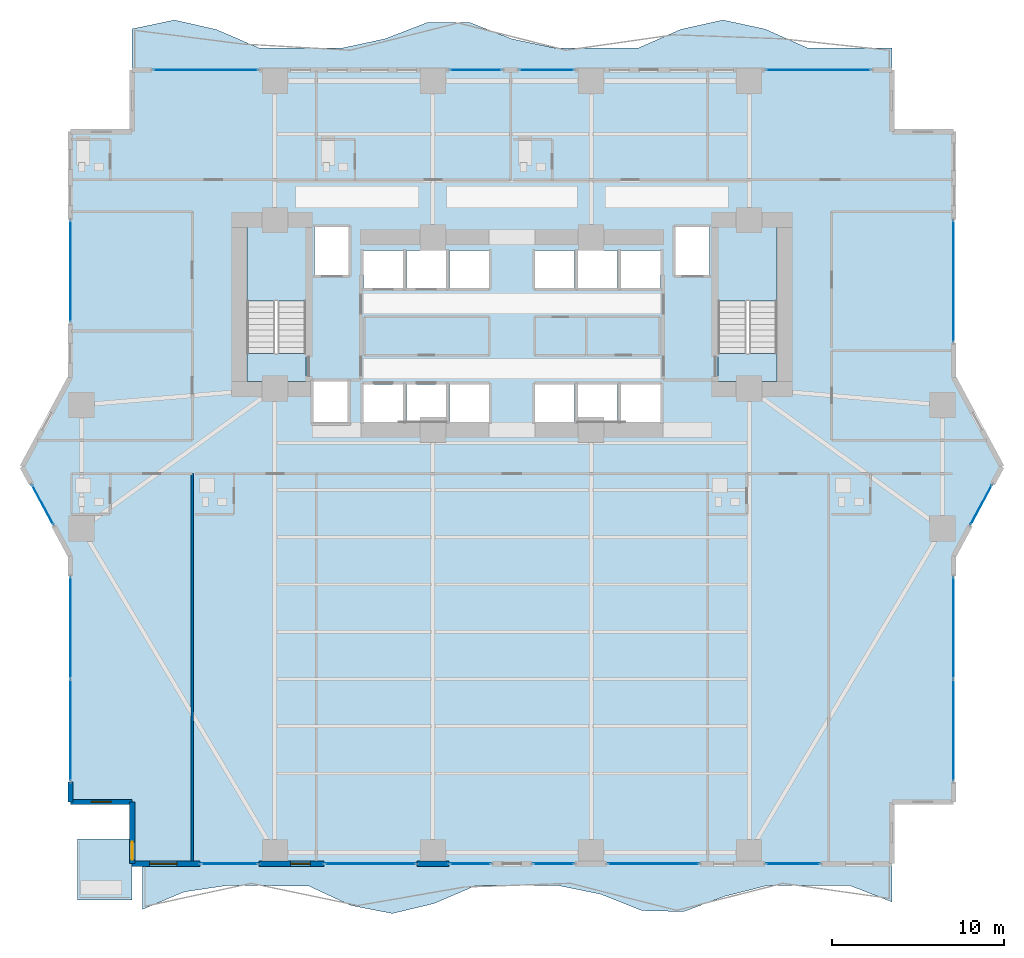
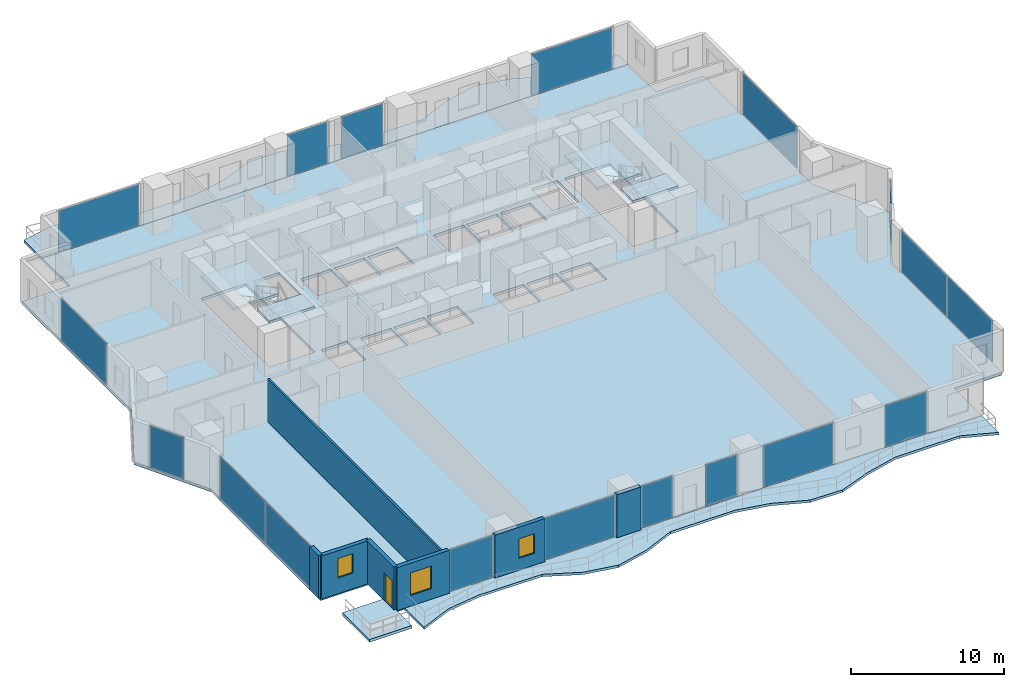
# One storey, part 18 of 28: 18 plates, 8 slabs, 7 walls, 3 windows, 1 door, 4 openings, 18 elements without a shape of their own.
"""IFC4 building model written with IfcOpenShell, lengths in metres."""

from ifc_helpers import new_model, si_unit, direction, frame, frame_2d, origin, origin_2d, place, context, subcontext, project, spatial, polyline, rectangle, outline, extrude, material, layer, layer_set, type_object, element, fill, aggregate, save


model = new_model("IFC4")

# Units and contexts
model_context = context("Model", 3, precision=1e-05, world=origin(), true_north=direction((0.0, 1.0)))
body_context = subcontext(model_context, "Body", "Model", "MODEL_VIEW")
ifc_project = project(units=[si_unit("LENGTHUNIT", "METRE"), si_unit("AREAUNIT", "SQUARE_METRE"), si_unit("VOLUMEUNIT", "CUBIC_METRE"), si_unit("PLANEANGLEUNIT", "RADIAN"), si_unit("MASSUNIT", "GRAM", prefix="KILO")], contexts=[model_context])

# Site, building, storey
site_placement = place(None, origin())
site = spatial("IfcSite", under=ifc_project, at=site_placement, CompositionType="ELEMENT")
building_placement = place(site_placement, origin())
building = spatial("IfcBuilding", under=site, at=building_placement, Name="Zuhayl Quay Hotel", CompositionType="ELEMENT")
storey_placement = place(building_placement, frame((0.0, 0.0, 75.050048828125)))
storey = spatial("IfcBuildingStorey", under=building, at=storey_placement, Name="L18", CompositionType="ELEMENT", Elevation=75.050048828125)

# Curtain wall, plates
ifc_material_1 = material(Name="Anodised Aluminium 6063-T6", Category="aluminium")
ifc_layer_1 = layer(ifc_material_1, 0.18994140625, Name="Anodised Aluminium 6063-T6", Category="aluminium")
ifc_layer_set_1 = layer_set([ifc_layer_1], Name="Anodised Aluminium 6063-T6")
curtain_wall_type = type_object("IfcCurtainWallType", Name="CW_SYS_Z1", PredefinedType="USERDEFINED", material=ifc_layer_set_1)
curtain_wall_1_placement = place(storey_placement, origin())
curtain_wall_1 = element("IfcCurtainWall", 1, at=curtain_wall_1_placement, inside=storey, type_object=curtain_wall_type, Name="L18 Curtain Wall ENV_L18_E02_CW1", ObjectType="UNITISED CURTAIN WALL", PredefinedType="USERDEFINED")
ifc_material_2 = material(Name="Dark Ceramic-Fritted Solar Glass", Category="glass")
ifc_layer_2 = layer(ifc_material_2, 0.035888671875, Name="Dark Ceramic-Fritted Solar Glass", Category="glass")
ifc_layer_set_2 = layer_set([ifc_layer_2], Name="Dark Ceramic-Fritted Solar Glass")
plate_type = type_object("IfcPlateType", Name="PN_DARK_FRIT_Z1", PredefinedType="CURTAIN_PANEL", material=ifc_layer_set_2)
plate_1_placement = place(storey_placement, frame((-25.699951171875, -15.331298828125, 0.059814453125), z_axis=(0.0, 0.0, 1.0), x_axis=(0.0, 1.0, 0.0)))
plate_1 = element("IfcPlate", 2, at=plate_1_placement, type_object=plate_type, Name="CW-Z1 panel 1.1", PredefinedType="CURTAIN_PANEL", context=body_context, shape_type="SweptSolid", body=[
    extrude(rectangle(XDim=5.887451171875, YDim=0.035888671875, at=origin_2d()), origin(), (0.0, 0.0, 1.0), 3.31005859375),
])
plate_2_placement = place(storey_placement, frame((-25.699951171875, -9.36865234375, 0.059814453125), z_axis=(0.0, 0.0, 1.0), x_axis=(0.0, 1.0, 0.0)))
plate_2 = element("IfcPlate", 3, at=plate_2_placement, type_object=plate_type, Name="CW-Z1 panel 2.1", PredefinedType="CURTAIN_PANEL", context=body_context, shape_type="SweptSolid", body=[
    extrude(rectangle(XDim=5.887451171875, YDim=0.035888671875, at=origin_2d()), origin(), (0.0, 0.0, 1.0), 3.31005859375),
])
aggregate(curtain_wall_1, [plate_1, plate_2])

# Curtain wall, plate
curtain_wall_2_placement = place(storey_placement, origin())
curtain_wall_2 = element("IfcCurtainWall", 4, at=curtain_wall_2_placement, inside=storey, type_object=curtain_wall_type, Name="L18 Curtain Wall ENV_L18_E03_CW1", ObjectType="UNITISED CURTAIN WALL", PredefinedType="USERDEFINED")
plate_3_placement = place(storey_placement, frame((-27.306396484375, -2.216796875, 0.059814453125), z_axis=(0.0, 0.0, 1.0), x_axis=(-0.474091102632, 0.880475795468, 0.0)))
plate_3 = element("IfcPlate", 5, at=plate_3_placement, type_object=plate_type, Name="CW-Z1 panel 1.1", PredefinedType="CURTAIN_PANEL", context=body_context, shape_type="SweptSolid", body=[
    extrude(rectangle(XDim=2.58544921875, YDim=0.035888671875, at=origin_2d()), origin(), (0.0, 0.0, 1.0), 3.31005859375),
])
aggregate(curtain_wall_2, [plate_3])

curtain_wall_3_placement = place(storey_placement, origin())
curtain_wall_3 = element("IfcCurtainWall", 6, at=curtain_wall_3_placement, inside=storey, type_object=curtain_wall_type, Name="L18 Curtain Wall ENV_L18_E05_CW1", ObjectType="UNITISED CURTAIN WALL", PredefinedType="USERDEFINED")
plate_4_placement = place(storey_placement, frame((-25.699951171875, 11.375, 0.059814453125), z_axis=(0.0, 0.0, 1.0), x_axis=(0.0, 1.0, 0.0)))
plate_4 = element("IfcPlate", 7, at=plate_4_placement, type_object=plate_type, Name="CW-Z1 panel 1.1", PredefinedType="CURTAIN_PANEL", context=body_context, shape_type="SweptSolid", body=[
    extrude(rectangle(XDim=5.89990234375, YDim=0.035888671875, at=origin_2d()), origin(), (0.0, 0.0, 1.0), 3.31005859375),
])
aggregate(curtain_wall_3, [plate_4])

curtain_wall_4_placement = place(storey_placement, origin())
curtain_wall_4 = element("IfcCurtainWall", 8, at=curtain_wall_4_placement, inside=storey, type_object=curtain_wall_type, Name="L18 Curtain Wall ENV_L18_N_CW1", ObjectType="UNITISED CURTAIN WALL", PredefinedType="USERDEFINED")
plate_5_placement = place(storey_placement, frame((-17.8349609375, 23.10009765625, 0.059814453125), z_axis=(0.0, 0.0, 1.0), x_axis=(1.0, 0.0, 0.0)))
plate_5 = element("IfcPlate", 9, at=plate_5_placement, type_object=plate_type, Name="CW-Z1 panel 1.1", PredefinedType="CURTAIN_PANEL", context=body_context, shape_type="SweptSolid", body=[
    extrude(rectangle(XDim=6.080078125, YDim=0.035888671875, at=origin_2d()), origin(), (0.0, 0.0, 1.0), 3.31005859375),
])
aggregate(curtain_wall_4, [plate_5])

curtain_wall_5_placement = place(storey_placement, origin())
curtain_wall_5 = element("IfcCurtainWall", 10, at=curtain_wall_5_placement, inside=storey, type_object=curtain_wall_type, Name="L18 Curtain Wall ENV_L18_N_CW2", ObjectType="UNITISED CURTAIN WALL", PredefinedType="USERDEFINED")
plate_6_placement = place(storey_placement, frame((-2.10498046875, 23.10009765625, 0.059814453125), z_axis=(0.0, 0.0, 1.0), x_axis=(1.0, 0.0, 0.0)))
plate_6 = element("IfcPlate", 11, at=plate_6_placement, type_object=plate_type, Name="CW-Z1 panel 1.1", PredefinedType="CURTAIN_PANEL", context=body_context, shape_type="SweptSolid", body=[
    extrude(rectangle(XDim=3.0, YDim=0.035888671875, at=origin_2d()), origin(), (0.0, 0.0, 1.0), 3.31005859375),
])
aggregate(curtain_wall_5, [plate_6])

curtain_wall_6_placement = place(storey_placement, origin())
curtain_wall_6 = element("IfcCurtainWall", 12, at=curtain_wall_6_placement, inside=storey, type_object=curtain_wall_type, Name="L18 Curtain Wall ENV_L18_N_CW3", ObjectType="UNITISED CURTAIN WALL", PredefinedType="USERDEFINED")
plate_7_placement = place(storey_placement, frame((2.02490234375, 23.10009765625, 0.059814453125), z_axis=(0.0, 0.0, 1.0), x_axis=(1.0, 0.0, 0.0)))
plate_7 = element("IfcPlate", 13, at=plate_7_placement, type_object=plate_type, Name="CW-Z1 panel 1.1", PredefinedType="CURTAIN_PANEL", context=body_context, shape_type="SweptSolid", body=[
    extrude(rectangle(XDim=3.159912109375, YDim=0.035888671875, at=origin_2d()), origin(), (0.0, 0.0, 1.0), 3.31005859375),
])
aggregate(curtain_wall_6, [plate_7])

curtain_wall_7_placement = place(storey_placement, origin())
curtain_wall_7 = element("IfcCurtainWall", 14, at=curtain_wall_7_placement, inside=storey, type_object=curtain_wall_type, Name="L18 Curtain Wall ENV_L18_N_CW4", ObjectType="UNITISED CURTAIN WALL", PredefinedType="USERDEFINED")
plate_8_placement = place(storey_placement, frame((17.8349609375, 23.10009765625, 0.059814453125), z_axis=(0.0, 0.0, 1.0), x_axis=(1.0, 0.0, 0.0)))
plate_8 = element("IfcPlate", 15, at=plate_8_placement, type_object=plate_type, Name="CW-Z1 panel 1.1", PredefinedType="CURTAIN_PANEL", context=body_context, shape_type="SweptSolid", body=[
    extrude(rectangle(XDim=6.080078125, YDim=0.035888671875, at=origin_2d()), origin(), (0.0, 0.0, 1.0), 3.31005859375),
])
aggregate(curtain_wall_7, [plate_8])

curtain_wall_8_placement = place(storey_placement, origin())
curtain_wall_8 = element("IfcCurtainWall", 16, at=curtain_wall_8_placement, inside=storey, type_object=curtain_wall_type, Name="L18 Curtain Wall ENV_L18_E11_CW1", ObjectType="UNITISED CURTAIN WALL", PredefinedType="USERDEFINED")
plate_9_placement = place(storey_placement, frame((25.699951171875, 10.800048828125, 0.059814453125), z_axis=(0.0, 0.0, 1.0), x_axis=(0.0, -1.0, 0.0)))
plate_9 = element("IfcPlate", 17, at=plate_9_placement, type_object=plate_type, Name="CW-Z1 panel 1.1", PredefinedType="CURTAIN_PANEL", context=body_context, shape_type="SweptSolid", body=[
    extrude(rectangle(XDim=7.050048828125, YDim=0.035888671875, at=origin_2d()), origin(), (0.0, 0.0, 1.0), 3.31005859375),
])
aggregate(curtain_wall_8, [plate_9])

curtain_wall_9_placement = place(storey_placement, origin())
curtain_wall_9 = element("IfcCurtainWall", 18, at=curtain_wall_9_placement, inside=storey, type_object=curtain_wall_type, Name="L18 Curtain Wall ENV_L18_E13_CW1", ObjectType="UNITISED CURTAIN WALL", PredefinedType="USERDEFINED")
plate_10_placement = place(storey_placement, frame((27.306396484375, -2.216796875, 0.059814453125), z_axis=(0.0, 0.0, 1.0), x_axis=(-0.474091102632, -0.880475795468, 0.0)))
plate_10 = element("IfcPlate", 19, at=plate_10_placement, type_object=plate_type, Name="CW-Z1 panel 1.1", PredefinedType="CURTAIN_PANEL", context=body_context, shape_type="SweptSolid", body=[
    extrude(rectangle(XDim=2.58544921875, YDim=0.035888671875, at=origin_2d()), origin(), (0.0, 0.0, 1.0), 3.31005859375),
])
aggregate(curtain_wall_9, [plate_10])

# Curtain wall, plates
curtain_wall_10_placement = place(storey_placement, origin())
curtain_wall_10 = element("IfcCurtainWall", 20, at=curtain_wall_10_placement, inside=storey, type_object=curtain_wall_type, Name="L18 Curtain Wall ENV_L18_E14_CW1", ObjectType="UNITISED CURTAIN WALL", PredefinedType="USERDEFINED")
plate_11_placement = place(storey_placement, frame((25.699951171875, -9.36865234375, 0.059814453125), z_axis=(0.0, 0.0, 1.0), x_axis=(0.0, -1.0, 0.0)))
plate_11 = element("IfcPlate", 21, at=plate_11_placement, type_object=plate_type, Name="CW-Z1 panel 1.1", PredefinedType="CURTAIN_PANEL", context=body_context, shape_type="SweptSolid", body=[
    extrude(rectangle(XDim=5.887451171875, YDim=0.035888671875, at=origin_2d()), origin(), (0.0, 0.0, 1.0), 3.31005859375),
])
plate_12_placement = place(storey_placement, frame((25.699951171875, -15.331298828125, 0.059814453125), z_axis=(0.0, 0.0, 1.0), x_axis=(0.0, -1.0, 0.0)))
plate_12 = element("IfcPlate", 22, at=plate_12_placement, type_object=plate_type, Name="CW-Z1 panel 2.1", PredefinedType="CURTAIN_PANEL", context=body_context, shape_type="SweptSolid", body=[
    extrude(rectangle(XDim=5.887451171875, YDim=0.035888671875, at=origin_2d()), origin(), (0.0, 0.0, 1.0), 3.31005859375),
])
aggregate(curtain_wall_10, [plate_11, plate_12])

# Curtain wall, plate
curtain_wall_11_placement = place(storey_placement, origin())
curtain_wall_11 = element("IfcCurtainWall", 23, at=curtain_wall_11_placement, inside=storey, type_object=curtain_wall_type, Name="L18 Curtain Wall ENV_L18_S_CW1", ObjectType="UNITISED CURTAIN WALL", PredefinedType="USERDEFINED")
plate_13_placement = place(storey_placement, frame((16.35498046875, -23.10009765625, 0.059814453125), z_axis=(0.0, 0.0, 1.0), x_axis=(-1.0, 0.0, 0.0)))
plate_13 = element("IfcPlate", 24, at=plate_13_placement, type_object=plate_type, Name="CW-Z1 panel 1.1", PredefinedType="CURTAIN_PANEL", context=body_context, shape_type="SweptSolid", body=[
    extrude(rectangle(XDim=3.1201171875, YDim=0.035888671875, at=origin_2d()), origin(), (0.0, 0.0, 1.0), 3.31005859375),
])
aggregate(curtain_wall_11, [plate_13])

curtain_wall_12_placement = place(storey_placement, origin())
curtain_wall_12 = element("IfcCurtainWall", 25, at=curtain_wall_12_placement, inside=storey, type_object=curtain_wall_type, Name="L18 Curtain Wall ENV_L18_S_CW2", ObjectType="UNITISED CURTAIN WALL", PredefinedType="USERDEFINED")
plate_14_placement = place(storey_placement, frame((8.235107421875, -23.10009765625, 0.059814453125), z_axis=(0.0, 0.0, 1.0), x_axis=(-1.0, 0.0, 0.0)))
plate_14 = element("IfcPlate", 26, at=plate_14_placement, type_object=plate_type, Name="CW-Z1 panel 1.1", PredefinedType="CURTAIN_PANEL", context=body_context, shape_type="SweptSolid", body=[
    extrude(rectangle(XDim=5.280029296875, YDim=0.035888671875, at=origin_2d()), origin(), (0.0, 0.0, 1.0), 3.31005859375),
])
aggregate(curtain_wall_12, [plate_14])

curtain_wall_13_placement = place(storey_placement, origin())
curtain_wall_13 = element("IfcCurtainWall", 27, at=curtain_wall_13_placement, inside=storey, type_object=curtain_wall_type, Name="L18 Curtain Wall ENV_L18_S_CW3", ObjectType="UNITISED CURTAIN WALL", PredefinedType="USERDEFINED")
plate_15_placement = place(storey_placement, frame((2.427490234375, -23.10009765625, 0.059814453125), z_axis=(0.0, 0.0, 1.0), x_axis=(-1.0, 0.0, 0.0)))
plate_15 = element("IfcPlate", 28, at=plate_15_placement, type_object=plate_type, Name="CW-Z1 panel 1.1", PredefinedType="CURTAIN_PANEL", context=body_context, shape_type="SweptSolid", body=[
    extrude(rectangle(XDim=2.35498046875, YDim=0.035888671875, at=origin_2d()), origin(), (0.0, 0.0, 1.0), 3.31005859375),
])
aggregate(curtain_wall_13, [plate_15])

curtain_wall_14_placement = place(storey_placement, origin())
curtain_wall_14 = element("IfcCurtainWall", 29, at=curtain_wall_14_placement, inside=storey, type_object=curtain_wall_type, Name="L18 Curtain Wall ENV_L18_S_CW4", ObjectType="UNITISED CURTAIN WALL", PredefinedType="USERDEFINED")
plate_16_placement = place(storey_placement, frame((-2.427490234375, -23.10009765625, 0.059814453125), z_axis=(0.0, 0.0, 1.0), x_axis=(-1.0, 0.0, 0.0)))
plate_16 = element("IfcPlate", 30, at=plate_16_placement, type_object=plate_type, Name="CW-Z1 panel 1.1", PredefinedType="CURTAIN_PANEL", context=body_context, shape_type="SweptSolid", body=[
    extrude(rectangle(XDim=2.35498046875, YDim=0.035888671875, at=origin_2d()), origin(), (0.0, 0.0, 1.0), 3.31005859375),
])
aggregate(curtain_wall_14, [plate_16])

curtain_wall_15_placement = place(storey_placement, origin())
curtain_wall_15 = element("IfcCurtainWall", 31, at=curtain_wall_15_placement, inside=storey, type_object=curtain_wall_type, Name="L18 Curtain Wall ENV_L18_S_CW5", ObjectType="UNITISED CURTAIN WALL", PredefinedType="USERDEFINED")
plate_17_placement = place(storey_placement, frame((-8.235107421875, -23.10009765625, 0.059814453125), z_axis=(0.0, 0.0, 1.0), x_axis=(-1.0, 0.0, 0.0)))
plate_17 = element("IfcPlate", 32, at=plate_17_placement, type_object=plate_type, Name="CW-Z1 panel 1.1", PredefinedType="CURTAIN_PANEL", context=body_context, shape_type="SweptSolid", body=[
    extrude(rectangle(XDim=5.280029296875, YDim=0.035888671875, at=origin_2d()), origin(), (0.0, 0.0, 1.0), 3.31005859375),
])
aggregate(curtain_wall_15, [plate_17])

curtain_wall_16_placement = place(storey_placement, origin())
curtain_wall_16 = element("IfcCurtainWall", 33, at=curtain_wall_16_placement, inside=storey, type_object=curtain_wall_type, Name="L18 Curtain Wall ENV_L18_S_CW6", ObjectType="UNITISED CURTAIN WALL", PredefinedType="USERDEFINED")
plate_18_placement = place(storey_placement, frame((-16.43505859375, -23.10009765625, 0.059814453125), z_axis=(0.0, 0.0, 1.0), x_axis=(-1.0, 0.0, 0.0)))
plate_18 = element("IfcPlate", 34, at=plate_18_placement, type_object=plate_type, Name="CW-Z1 panel 1.1", PredefinedType="CURTAIN_PANEL", context=body_context, shape_type="SweptSolid", body=[
    extrude(rectangle(XDim=3.280029296875, YDim=0.035888671875, at=origin_2d()), origin(), (0.0, 0.0, 1.0), 3.31005859375),
])
aggregate(curtain_wall_16, [plate_18])

# Slabs
ifc_material_3 = material(Name="Concrete C45/55", Category="concrete")
ifc_layer_3 = layer(ifc_material_3, 0.195068359375, Name="Concrete C45/55", Category="concrete")
ifc_layer_set_3 = layer_set([ifc_layer_3], Name="Concrete C45/55")
slab_type_1 = type_object("IfcSlabType", Name="SL_BALCONY_195", PredefinedType="FLOOR", material=ifc_layer_set_3)
slab_1_placement = place(storey_placement, frame((0.0, 0.0, -0.195068359375)))
element("IfcSlab", 35, at=slab_1_placement, inside=storey, type_object=slab_type_1, Name="L18 Exterior Rippling Balcony Slab North", PredefinedType="FLOOR", context=body_context, shape_type="SweptSolid", body=[
    extrude(outline(polyline([(-22.10009765625, 23.10009765625), (22.10009765625, 23.10009765625), (22.10009765625, 24.3798828125), (19.644287109375, 24.3798828125), (17.18896484375, 24.3798828125), (14.7333984375, 25.471435546875), (12.27783203125, 26.0), (9.822265625, 25.45361328125), (7.36669921875, 24.3798828125), (4.9111328125, 24.3798828125), (2.45556640625, 24.3798828125), (0.0, 24.89697265625), (-2.45556640625, 25.853759765625), (-4.9111328125, 25.861328125), (-7.36669921875, 24.9130859375), (-9.822265625, 24.3798828125), (-12.27783203125, 24.3798828125), (-14.7333984375, 24.3798828125), (-17.18896484375, 25.43994140625), (-19.644287109375, 25.999755859375), (-22.10009765625, 25.484619140625), (-22.10009765625, 23.10009765625)])), origin(), (0.0, 0.0, 1.0), 0.195068359375),
])
slab_2_placement = place(storey_placement, frame((0.0, 0.0, -0.195068359375)))
element("IfcSlab", 36, at=slab_2_placement, inside=storey, type_object=slab_type_1, Name="L18 Exterior Rippling Balcony Slab South", PredefinedType="FLOOR", context=body_context, shape_type="SweptSolid", body=[
    extrude(outline(polyline([(-21.5, -25.76123046875), (-19.077880859375, -24.739013671875), (-16.655517578125, -24.3798828125), (-14.2333984375, -24.3798828125), (-11.81103515625, -24.405517578125), (-9.388916015625, -25.528076171875), (-6.966796875, -25.998291015625), (-4.54443359375, -25.421630859375), (-2.122314453125, -24.3798828125), (0.300048828125, -24.3798828125), (2.72216796875, -24.3798828125), (5.144287109375, -24.869873046875), (7.566650390625, -25.83251953125), (9.989013671875, -25.887451171875), (12.4111328125, -24.988525390625), (14.833251953125, -24.3798828125), (17.255615234375, -24.3798828125), (19.677734375, -24.3798828125), (22.10009765625, -25.3173828125), (22.10009765625, -23.10009765625), (-21.5, -23.10009765625), (-21.5, -25.76123046875)])), origin(), (0.0, 0.0, 1.0), 0.195068359375),
])
ifc_layer_4 = layer(ifc_material_3, 0.219970703125, Name="Concrete C45/55", Category="concrete")
ifc_layer_set_4 = layer_set([ifc_layer_4], Name="Concrete C45/55")
slab_type_2 = type_object("IfcSlabType", Name="SL_FLOOR_220", PredefinedType="FLOOR", material=ifc_layer_set_4)
slab_3_placement = place(storey_placement, frame((0.0, 0.0, -0.219970703125)))
element("IfcSlab", 37, at=slab_3_placement, inside=storey, type_object=slab_type_2, Name="L18 Structural Floor Slab", PredefinedType="FLOOR", context=body_context, shape_type="SweptSolid", body=[
    extrude(outline(polyline([(-22.10009765625, -23.10009765625), (22.10009765625, -23.10009765625), (22.10009765625, -19.5), (25.699951171875, -19.5), (25.699951171875, -5.199951171875), (28.5, 0.0), (25.699951171875, 5.199951171875), (25.699951171875, 19.5), (22.10009765625, 19.5), (22.10009765625, 23.10009765625), (-22.10009765625, 23.10009765625), (-22.10009765625, 19.5), (-25.699951171875, 19.5), (-25.699951171875, 5.199951171875), (-28.5, 0.0), (-25.699951171875, -5.199951171875), (-25.699951171875, -19.5), (-22.10009765625, -19.5), (-22.10009765625, -23.10009765625)]), holes=[polyline([(-12.0, 4.949951171875), (-12.0, 13.949951171875), (-15.429931640625, 13.949951171875), (-15.429931640625, 4.949951171875), (-12.0, 4.949951171875)]), polyline([(15.429931640625, 4.949951171875), (15.429931640625, 13.949951171875), (12.0, 13.949951171875), (12.0, 4.949951171875), (15.429931640625, 4.949951171875)]), polyline([(-11.5, 11.14990234375), (-9.5, 11.14990234375), (-9.5, 13.949951171875), (-11.5, 13.949951171875), (-11.5, 11.14990234375)]), polyline([(9.5, 11.14990234375), (11.5, 11.14990234375), (11.5, 13.949951171875), (9.5, 13.949951171875), (9.5, 11.14990234375)]), polyline([(-8.64990234375, 2.60009765625), (-6.35009765625, 2.60009765625), (-6.35009765625, 4.800048828125), (-8.64990234375, 4.800048828125), (-8.64990234375, 2.60009765625)]), polyline([(-6.14990234375, 2.60009765625), (-3.85009765625, 2.60009765625), (-3.85009765625, 4.800048828125), (-6.14990234375, 4.800048828125), (-6.14990234375, 2.60009765625)]), polyline([(-8.64990234375, 10.39990234375), (-6.35009765625, 10.39990234375), (-6.35009765625, 12.60009765625), (-8.64990234375, 12.60009765625), (-8.64990234375, 10.39990234375)]), polyline([(-6.14990234375, 10.39990234375), (-3.85009765625, 10.39990234375), (-3.85009765625, 12.60009765625), (-6.14990234375, 12.60009765625), (-6.14990234375, 10.39990234375)]), polyline([(-3.64990234375, 2.60009765625), (-1.35009765625, 2.60009765625), (-1.35009765625, 4.800048828125), (-3.64990234375, 4.800048828125), (-3.64990234375, 2.60009765625)]), polyline([(1.35009765625, 2.60009765625), (3.64990234375, 2.60009765625), (3.64990234375, 4.800048828125), (1.35009765625, 4.800048828125), (1.35009765625, 2.60009765625)]), polyline([(-3.64990234375, 10.39990234375), (-1.35009765625, 10.39990234375), (-1.35009765625, 12.60009765625), (-3.64990234375, 12.60009765625), (-3.64990234375, 10.39990234375)]), polyline([(1.35009765625, 10.39990234375), (3.64990234375, 10.39990234375), (3.64990234375, 12.60009765625), (1.35009765625, 12.60009765625), (1.35009765625, 10.39990234375)]), polyline([(3.85009765625, 2.60009765625), (6.14990234375, 2.60009765625), (6.14990234375, 4.800048828125), (3.85009765625, 4.800048828125), (3.85009765625, 2.60009765625)]), polyline([(6.35009765625, 2.60009765625), (8.64990234375, 2.60009765625), (8.64990234375, 4.800048828125), (6.35009765625, 4.800048828125), (6.35009765625, 2.60009765625)]), polyline([(3.85009765625, 10.39990234375), (6.14990234375, 10.39990234375), (6.14990234375, 12.60009765625), (3.85009765625, 12.60009765625), (3.85009765625, 10.39990234375)]), polyline([(6.35009765625, 10.39990234375), (8.64990234375, 10.39990234375), (8.64990234375, 12.60009765625), (6.35009765625, 12.60009765625), (6.35009765625, 10.39990234375)]), polyline([(-11.550048828125, 2.550048828125), (-9.550048828125, 2.550048828125), (-9.550048828125, 4.949951171875), (-11.550048828125, 4.949951171875), (-11.550048828125, 2.550048828125)])]), origin(), (0.0, 0.0, 1.0), 0.219970703125),
])

# Stair, slabs
stair_type = type_object("IfcStairType", Name="ST_DOGLEG_TOWER", PredefinedType="HALF_TURN_STAIR", material=ifc_material_3)
stair_1_placement = place(storey_placement, origin())
stair_1 = element("IfcStair", 38, at=stair_1_placement, inside=storey, type_object=stair_type, Name="L18 Smokeproof Exit Stair ST1", PredefinedType="HALF_TURN_STAIR")
ifc_layer_5 = layer(ifc_material_3, 0.199951171875, Name="Concrete C45/55", Category="concrete")
ifc_layer_set_5 = layer_set([ifc_layer_5], Name="Concrete C45/55")
slab_type_3 = type_object("IfcSlabType", Name="SL_STAIR_LANDING_200", PredefinedType="LANDING", material=ifc_layer_set_5)
slab_4_placement = place(storey_placement, frame((0.0, 0.0, 1.625)))
slab_4 = element("IfcSlab", 39, at=slab_4_placement, type_object=slab_type_3, Name="ST1 landing 1", PredefinedType="LANDING", context=body_context, shape_type="SweptSolid", body=[
    extrude(outline(polyline([(-12.0, 9.64990234375), (-12.0, 13.949951171875), (-15.429931640625, 13.949951171875), (-15.429931640625, 9.64990234375), (-12.0, 9.64990234375)])), origin(), (0.0, 0.0, 1.0), 0.199951171875),
])
slab_5_placement = place(storey_placement, frame((0.0, 0.0, 3.449951171875)))
slab_5 = element("IfcSlab", 40, at=slab_5_placement, type_object=slab_type_3, Name="ST1 landing 2", PredefinedType="LANDING", context=body_context, shape_type="SweptSolid", body=[
    extrude(outline(polyline([(-12.0, 4.949951171875), (-12.0, 6.590087890625), (-15.429931640625, 6.590087890625), (-15.429931640625, 4.949951171875), (-12.0, 4.949951171875)])), origin(), (0.0, 0.0, 1.0), 0.199951171875),
])
aggregate(stair_1, [slab_4, slab_5])

stair_2_placement = place(storey_placement, origin())
stair_2 = element("IfcStair", 41, at=stair_2_placement, inside=storey, type_object=stair_type, Name="L18 Smokeproof Exit Stair ST2", PredefinedType="HALF_TURN_STAIR")
slab_6_placement = place(storey_placement, frame((0.0, 0.0, 1.625)))
slab_6 = element("IfcSlab", 42, at=slab_6_placement, type_object=slab_type_3, Name="ST2 landing 1", PredefinedType="LANDING", context=body_context, shape_type="SweptSolid", body=[
    extrude(outline(polyline([(15.429931640625, 9.64990234375), (15.429931640625, 13.949951171875), (12.0, 13.949951171875), (12.0, 9.64990234375), (15.429931640625, 9.64990234375)])), origin(), (0.0, 0.0, 1.0), 0.199951171875),
])
slab_7_placement = place(storey_placement, frame((0.0, 0.0, 3.449951171875)))
slab_7 = element("IfcSlab", 43, at=slab_7_placement, type_object=slab_type_3, Name="ST2 landing 2", PredefinedType="LANDING", context=body_context, shape_type="SweptSolid", body=[
    extrude(outline(polyline([(15.429931640625, 4.949951171875), (15.429931640625, 6.590087890625), (12.0, 6.590087890625), (12.0, 4.949951171875), (15.429931640625, 4.949951171875)])), origin(), (0.0, 0.0, 1.0), 0.199951171875),
])
aggregate(stair_2, [slab_6, slab_7])

# Slab
ifc_layer_6 = layer(ifc_material_3, 0.219970703125, Name="Concrete C45/55", Category="concrete")
ifc_layer_set_6 = layer_set([ifc_layer_6], Name="Concrete C45/55")
slab_type_4 = type_object("IfcSlabType", Name="SL_TERRACE_235", PredefinedType="FLOOR", material=ifc_layer_set_6)
slab_8_placement = place(storey_placement, frame((0.0, 0.0, -0.219970703125)))
element("IfcSlab", 44, at=slab_8_placement, inside=storey, type_object=slab_type_4, Name="L18 Exterior Sky-Terrace Slab L18_SPIRAL_SW", PredefinedType="FLOOR", context=body_context, shape_type="SweptSolid", body=[
    extrude(outline(polyline([(-25.300048828125, -25.199951171875), (-22.10009765625, -25.199951171875), (-22.10009765625, -21.64990234375), (-25.300048828125, -21.64990234375), (-25.300048828125, -25.199951171875)])), origin(), (0.0, 0.0, 1.0), 0.219970703125),
])

# Wall, opening, window
ifc_material_4 = material(Name="Precast concrete C45/55", Category="concrete")
ifc_layer_7 = layer(ifc_material_4, 0.300048828125, Name="Precast concrete C45/55", Category="concrete")
ifc_layer_set_7 = layer_set([ifc_layer_7], Name="Precast concrete C45/55")
wall_type_1 = type_object("IfcWallType", Name="WL_EXT_300", PredefinedType="STANDARD", material=ifc_layer_set_7)
wall_1_placement = place(storey_placement, frame((-22.10009765625, -19.5, 0.0), z_axis=(0.0, 0.0, 1.0), x_axis=(-1.0, 0.0, 0.0)))
wall_1 = element("IfcWall", 45, at=wall_1_placement, inside=storey, type_object=wall_type_1, Name="L18 Exterior Precast Wall ENV_L18_EW01", PredefinedType="STANDARD", context=body_context, shape_type="SweptSolid", body=[
    extrude(rectangle(XDim=3.599853515625, YDim=0.300048828125, at=frame_2d((1.7998046875, 0.0))), origin(), (0.0, 0.0, 1.0), 3.429931640625),
])
opening_1_placement = place(wall_1_placement, frame((1.22509765625, 0.0, 1.25)))
opening_1 = element("IfcOpeningElement", 46, at=opening_1_placement, cuts=wall_1, Name="Opening W01N", PredefinedType="OPENING", context=body_context, shape_type="SweptSolid", body=[
    extrude(rectangle(XDim=1.14990234375, YDim=1.550048828125, at=frame_2d((0.574951171875, 0.77490234375))), frame((0.0, 0.159912109375, 0.0), z_axis=(0.0, -1.0, 0.0), x_axis=(1.0, 0.0, 0.0)), (0.0, 0.0, 1.0), 0.320068359375),
])
window_type_1 = type_object("IfcWindowType", Name="WN_NOTCH_1350", PartitioningType="SINGLE_PANEL", PredefinedType="WINDOW", material=ifc_material_2)
window_1_placement = place(opening_1_placement, origin())
window_1 = element("IfcWindow", 47, at=window_1_placement, inside=storey, type_object=window_type_1, Name="L18 Corner Notch Window 1", OverallHeight=1.550048828125, OverallWidth=1.14990234375, PartitioningType="SINGLE_PANEL", PredefinedType="WINDOW", context=body_context, shape_type="SweptSolid", body=[
    extrude(rectangle(XDim=1.14990234375, YDim=1.550048828125, at=frame_2d((0.574951171875, 0.77490234375))), frame((0.0, 0.030029296875, 0.0), z_axis=(0.0, -1.0, 0.0), x_axis=(1.0, 0.0, 0.0)), (0.0, 0.0, 1.0), 0.06005859375),
])
fill(opening_1, window_1)

# Walls
wall_2_placement = place(storey_placement, frame((-25.699951171875, -19.5, 0.0), z_axis=(0.0, 0.0, 1.0), x_axis=(0.0, 1.0, 0.0)))
element("IfcWall", 48, at=wall_2_placement, inside=storey, type_object=wall_type_1, Name="L18 Exterior Precast Wall ENV_L18_E02_EW1", PredefinedType="STANDARD", context=body_context, shape_type="SweptSolid", body=[
    extrude(rectangle(XDim=1.14990234375, YDim=0.300048828125, at=frame_2d((0.574951171875, 0.0))), origin(), (0.0, 0.0, 1.0), 3.429931640625),
])
wall_3_placement = place(storey_placement, frame((-3.679931640625, -23.10009765625, 0.0), z_axis=(0.0, 0.0, 1.0), x_axis=(-1.0, 0.0, 0.0)))
element("IfcWall", 49, at=wall_3_placement, inside=storey, type_object=wall_type_1, Name="L18 Exterior Precast Wall ENV_L18_S_EW5", PredefinedType="STANDARD", context=body_context, shape_type="SweptSolid", body=[
    extrude(rectangle(XDim=1.840087890625, YDim=0.300048828125, at=frame_2d((0.919921875, 0.0))), origin(), (0.0, 0.0, 1.0), 3.429931640625),
])

# Wall, opening, window
wall_4_placement = place(storey_placement, frame((-10.949951171875, -23.10009765625, 0.0), z_axis=(0.0, 0.0, 1.0), x_axis=(-1.0, 0.0, 0.0)))
wall_4 = element("IfcWall", 50, at=wall_4_placement, inside=storey, type_object=wall_type_1, Name="L18 Exterior Precast Wall ENV_L18_S_EW6", PredefinedType="STANDARD", context=body_context, shape_type="SweptSolid", body=[
    extrude(rectangle(XDim=3.77001953125, YDim=0.300048828125, at=frame_2d((1.885009765625, 0.0))), origin(), (0.0, 0.0, 1.0), 3.429931640625),
])
opening_2_placement = place(wall_4_placement, frame((0.784912109375, 0.0, 0.949951171875)))
opening_2 = element("IfcOpeningElement", 51, at=opening_2_placement, cuts=wall_4, Name="Opening W01N", PredefinedType="OPENING", context=body_context, shape_type="SweptSolid", body=[
    extrude(rectangle(XDim=1.14990234375, YDim=1.550048828125, at=frame_2d((0.574951171875, 0.77490234375))), frame((0.0, 0.159912109375, 0.0), z_axis=(0.0, -1.0, 0.0), x_axis=(1.0, 0.0, 0.0)), (0.0, 0.0, 1.0), 0.320068359375),
])
window_2_placement = place(opening_2_placement, origin())
window_2 = element("IfcWindow", 52, at=window_2_placement, inside=storey, type_object=window_type_1, Name="L18 Operable Facade Window 6-1", OverallHeight=1.550048828125, OverallWidth=1.14990234375, PartitioningType="SINGLE_PANEL", PredefinedType="WINDOW", context=body_context, shape_type="SweptSolid", body=[
    extrude(rectangle(XDim=1.14990234375, YDim=1.550048828125, at=frame_2d((0.574951171875, 0.77490234375))), frame((0.0, 0.030029296875, 0.0), z_axis=(0.0, -1.0, 0.0), x_axis=(1.0, 0.0, 0.0)), (0.0, 0.0, 1.0), 0.06005859375),
])
fill(opening_2, window_2)

wall_5_placement = place(storey_placement, frame((-18.14990234375, -23.10009765625, 0.0), z_axis=(0.0, 0.0, 1.0), x_axis=(-1.0, 0.0, 0.0)))
wall_5 = element("IfcWall", 53, at=wall_5_placement, inside=storey, type_object=wall_type_1, Name="L18 Exterior Precast Wall ENV_L18_S_EW7", PredefinedType="STANDARD", context=body_context, shape_type="SweptSolid", body=[
    extrude(rectangle(XDim=3.9501953125, YDim=0.300048828125, at=frame_2d((1.97509765625, 0.0))), origin(), (0.0, 0.0, 1.0), 3.429931640625),
])
opening_3_placement = place(wall_5_placement, frame((1.340087890625, 0.0, 0.85009765625)))
opening_3 = element("IfcOpeningElement", 54, at=opening_3_placement, cuts=wall_5, Name="Opening W01", PredefinedType="OPENING", context=body_context, shape_type="SweptSolid", body=[
    extrude(rectangle(XDim=1.60009765625, YDim=1.800048828125, at=frame_2d((0.800048828125, 0.89990234375))), frame((0.0, 0.159912109375, 0.0), z_axis=(0.0, -1.0, 0.0), x_axis=(1.0, 0.0, 0.0)), (0.0, 0.0, 1.0), 0.320068359375),
])
window_type_2 = type_object("IfcWindowType", Name="WN_OPERABLE_1600", PartitioningType="DOUBLE_PANEL_VERTICAL", PredefinedType="WINDOW", material=ifc_material_2)
window_3_placement = place(opening_3_placement, origin())
window_3 = element("IfcWindow", 55, at=window_3_placement, inside=storey, type_object=window_type_2, Name="L18 Operable Facade Window 7-1", OverallHeight=1.800048828125, OverallWidth=1.60009765625, PartitioningType="SINGLE_PANEL", PredefinedType="WINDOW", context=body_context, shape_type="SweptSolid", body=[
    extrude(rectangle(XDim=1.60009765625, YDim=1.800048828125, at=frame_2d((0.800048828125, 0.89990234375))), frame((0.0, 0.030029296875, 0.0), z_axis=(0.0, -1.0, 0.0), x_axis=(1.0, 0.0, 0.0)), (0.0, 0.0, 1.0), 0.06005859375),
])
fill(opening_3, window_3)

# Wall, opening, door
wall_6_placement = place(storey_placement, frame((-22.10009765625, -23.10009765625, 0.0), z_axis=(0.0, 0.0, 1.0), x_axis=(0.0, 1.0, 0.0)))
wall_6 = element("IfcWall", 56, at=wall_6_placement, inside=storey, type_object=wall_type_1, Name="L18 Exterior Precast Wall ENV_L18_SP_SW", PredefinedType="STANDARD", context=body_context, shape_type="SweptSolid", body=[
    extrude(rectangle(XDim=3.60009765625, YDim=0.300048828125, at=frame_2d((1.800048828125, 0.0))), origin(), (0.0, 0.0, 1.0), 3.429931640625),
])
opening_4_placement = place(wall_6_placement, frame((0.219970703125, 0.0, 0.0)))
opening_4 = element("IfcOpeningElement", 57, at=opening_4_placement, cuts=wall_6, Name="Opening DG1", PredefinedType="OPENING", context=body_context, shape_type="SweptSolid", body=[
    extrude(rectangle(XDim=1.050048828125, YDim=2.199951171875, at=frame_2d((0.52490234375, 1.10009765625))), frame((0.0, 0.159912109375, 0.0), z_axis=(0.0, -1.0, 0.0), x_axis=(1.0, 0.0, 0.0)), (0.0, 0.0, 1.0), 0.320068359375),
])
ifc_material_5 = material(Name="Anodised Aluminium and Dark Solar Glass", Category="aluminium")
door_type = type_object("IfcDoorType", Name="DR_EXT_TERR_1050", OperationType="NOTDEFINED", PredefinedType="DOOR", material=ifc_material_5)
door_placement = place(opening_4_placement, origin())
door = element("IfcDoor", 58, at=door_placement, inside=storey, type_object=door_type, Name="L18 Spiral Sky-Terrace SW Access Door", OperationType="SINGLE_SWING_LEFT", OverallHeight=2.199951171875, OverallWidth=1.050048828125, PredefinedType="DOOR", context=body_context, shape_type="SweptSolid", body=[
    extrude(rectangle(XDim=1.050048828125, YDim=2.199951171875, at=frame_2d((0.52490234375, 1.10009765625))), frame((0.0, 0.02490234375, 0.0), z_axis=(0.0, -1.0, 0.0), x_axis=(1.0, 0.0, 0.0)), (0.0, 0.0, 1.0), 0.050048828125),
])
fill(opening_4, door)

# Wall
ifc_material_6 = material(Name="Acoustic Gypsum Partition STC-58")
ifc_layer_8 = layer(ifc_material_6, 0.14990234375, Name="Acoustic Gypsum Partition STC-58")
ifc_layer_set_8 = layer_set([ifc_layer_8], Name="Acoustic Gypsum Partition STC-58")
wall_type_2 = type_object("IfcWallType", Name="WL_PART_150", PredefinedType="PARTITIONING", material=ifc_layer_set_8)
wall_7_placement = place(storey_placement, frame((-18.60009765625, -23.02001953125, 0.0), z_axis=(0.0, 0.0, 1.0), x_axis=(0.0, 1.0, 0.0)))
element("IfcWall", 59, at=wall_7_placement, inside=storey, type_object=wall_type_2, Name="L18 Partition IW_L18_SU01A_E", PredefinedType="PARTITIONING", context=body_context, shape_type="SweptSolid", body=[
    extrude(rectangle(XDim=22.6201171875, YDim=0.14990234375, at=frame_2d((11.31005859375, 0.0))), origin(), (0.0, 0.0, 1.0), 3.429931640625),
])

save(model, "model.ifc")
